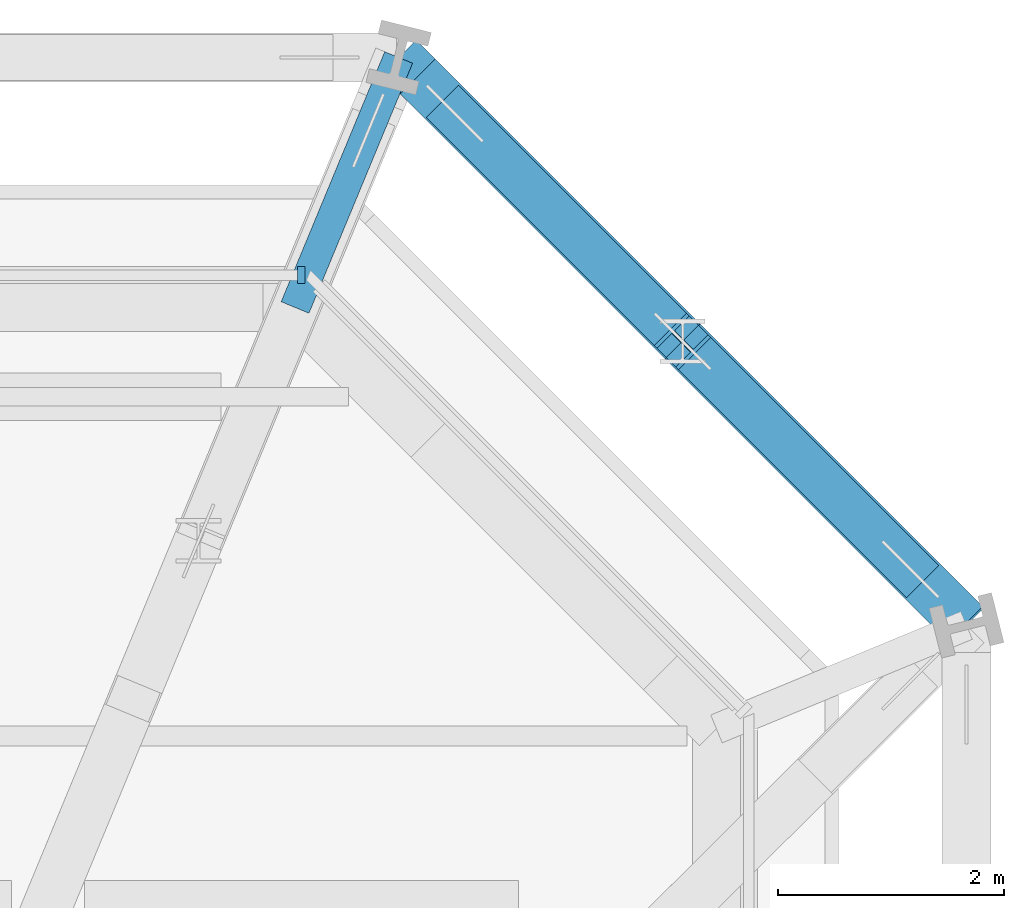
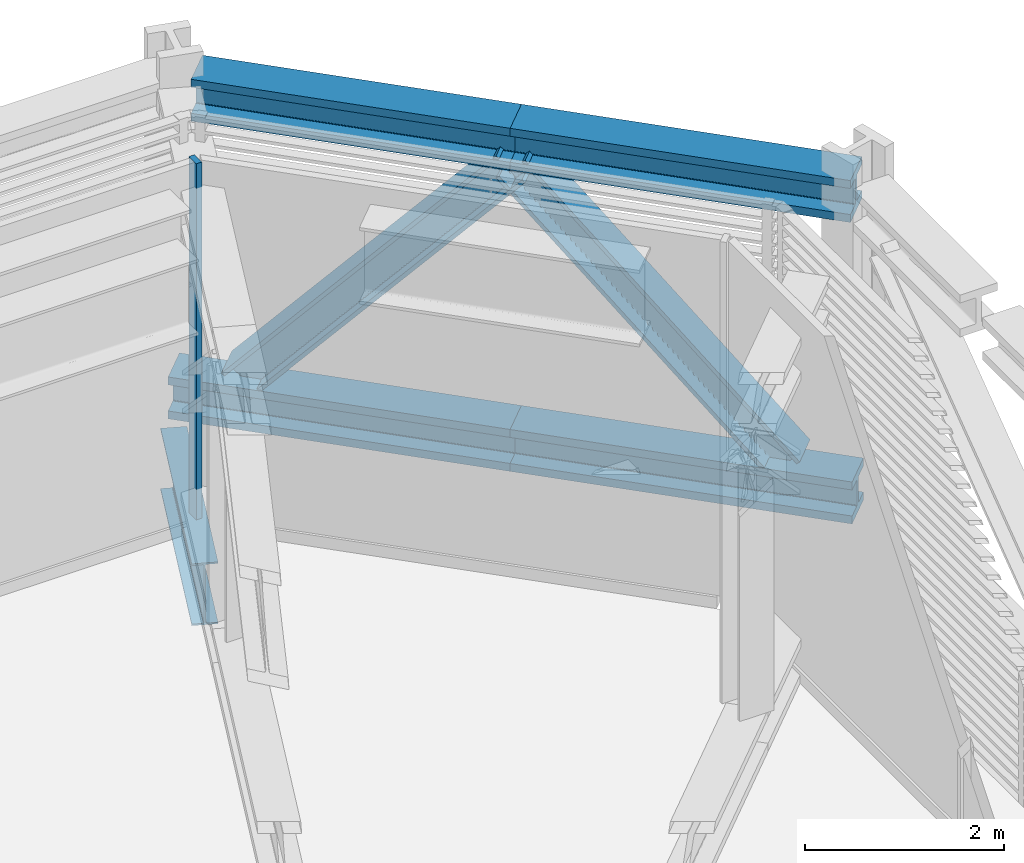
# One storey, part 20 of 33: 5 beams, 3 members, 1 element without a shape of its own.
"""IFC4 building model written with IfcOpenShell, lengths in metres."""

import ifcopenshell
import ifcopenshell.guid

model = None  # the IFC model being written
_history = None  # IfcOwnerHistory: only IFC2X3 demands one
_inside = {}  # id of a spatial element -> (the spatial element, [elements in it])
_under = {}  # id of a project, library or spatial element -> (it, [spatial elements below it])
_declared = {}  # id of a project -> (the project, [libraries it declares])
_typed = {}  # id of a type object -> (the type object, [elements of that type])
_made_of = {}  # id of a material, layer set ... -> (it, [elements and type objects made of it])


def new_model(schema):
    """Start an empty IFC model of exactly this schema.

    Asked for "IFC4X3", IfcOpenShell would pick the latest addendum, in which some entities
    have other attributes; the version numbers below select the first issue.
    IFC2X3 requires an IfcOwnerHistory on every rooted entity: one is made here for all.
    """
    global model, _history
    if schema == "IFC4X3":
        model = ifcopenshell.file(schema_version=(4, 3, 0, 0))
    else:
        model = ifcopenshell.file(schema=schema)
    _inside.clear()
    _under.clear()
    _declared.clear()
    _typed.clear()
    _made_of.clear()
    _history = None
    if model.schema == "IFC2X3":
        org = make("IfcOrganization", Name="unknown")
        user = make(
            "IfcPersonAndOrganization",
            ThePerson=make("IfcPerson", FamilyName="unknown"),
            TheOrganization=org,
        )
        app = make(
            "IfcApplication",
            ApplicationDeveloper=org,
            Version="unknown",
            ApplicationFullName="unknown",
            ApplicationIdentifier="unknown",
        )
        _history = make(
            "IfcOwnerHistory",
            OwningUser=user,
            OwningApplication=app,
            ChangeAction="ADDED",
            CreationDate=0,
        )
    return model


def make(cls, **values):
    """One entity of the class cls with the attributes given. An attribute that is None is left unset."""
    return model.create_entity(
        cls, **{name: value for name, value in values.items() if value is not None}
    )


def rooted(cls, **values):
    """An entity with a GlobalId (a new one), such as an element, a storey or a relation."""
    return make(cls, GlobalId=ifcopenshell.guid.new(), OwnerHistory=_history, **values)


def si_unit(unit_type, name, prefix=None):
    """IfcSIUnit, for example si_unit("LENGTHUNIT", "METRE", prefix="MILLI")."""
    return make("IfcSIUnit", UnitType=unit_type, Prefix=prefix, Name=name)


def assignment(units):
    """IfcUnitAssignment: the units of a project."""
    return None if units is None else make("IfcUnitAssignment", Units=units)


def point(xyz):
    """IfcCartesianPoint."""
    return None if xyz is None else make("IfcCartesianPoint", Coordinates=xyz)


def direction(xyz):
    """IfcDirection."""
    return None if xyz is None else make("IfcDirection", DirectionRatios=xyz)


def frame(location, z_axis=None, x_axis=None):
    """IfcAxis2Placement3D, a coordinate frame: its origin and axes. An axis left out is left unset."""
    return make(
        "IfcAxis2Placement3D",
        Location=point(location),
        Axis=direction(z_axis),
        RefDirection=direction(x_axis),
    )


def frame_2d(location, x_axis=None):
    """IfcAxis2Placement2D, a coordinate frame in the plane: its origin and x axis."""
    return make(
        "IfcAxis2Placement2D", Location=point(location), RefDirection=direction(x_axis)
    )


def origin():
    """The frame at (0, 0, 0) with its axes left unset."""
    return frame((0.0, 0.0, 0.0))


def origin_2d():
    """The frame at (0, 0) in the plane with its x axis left unset."""
    return frame_2d((0.0, 0.0))


def place(relative_to, where):
    """IfcLocalPlacement: puts the frame where relative to a parent placement (None: the world)."""
    return make(
        "IfcLocalPlacement", PlacementRelTo=relative_to, RelativePlacement=where
    )


def context(
    kind, dimensions, precision=None, world=None, true_north=None, identifier=None
):
    """IfcGeometricRepresentationContext, for example the 3D "Model" context."""
    return make(
        "IfcGeometricRepresentationContext",
        ContextIdentifier=identifier,
        ContextType=kind,
        CoordinateSpaceDimension=dimensions,
        Precision=precision,
        WorldCoordinateSystem=world,
        TrueNorth=true_north,
    )


def subcontext(parent, identifier, kind, view, scale=None):
    """IfcGeometricRepresentationSubContext, for example "Body" below "Model"."""
    return make(
        "IfcGeometricRepresentationSubContext",
        ContextIdentifier=identifier,
        ContextType=kind,
        ParentContext=parent,
        TargetScale=scale,
        TargetView=view,
    )


def project(units=None, contexts=None):
    """IfcProject with its units and contexts."""
    return rooted(
        "IfcProject",
        Name="project",
        RepresentationContexts=contexts,
        UnitsInContext=assignment(units),
    )


def spatial(cls, under=None, at=None, **own):
    """A site, building, storey or space (cls), placed at a placement, below another one or the project."""
    s = rooted(cls, ObjectPlacement=at, **own)
    if under is not None:
        _under.setdefault(under.id(), (under, []))[1].append(s)
    return s


def profile(cls, at=None, kind="AREA", **sizes):
    """A parametric profile (cls). Its sizes go by their IFC names, for example OverallWidth=200.0."""
    return make(cls, ProfileType=kind, Position=at, **sizes)


def rectangle(**sizes):
    """IfcRectangleProfileDef."""
    return profile("IfcRectangleProfileDef", **sizes)


def i_section(**sizes):
    """IfcIShapeProfileDef."""
    return profile("IfcIShapeProfileDef", **sizes)


def extrude(swept, where, along, depth):
    """IfcExtrudedAreaSolid: the profile swept, set in the frame where, extruded along a direction by depth."""
    return make(
        "IfcExtrudedAreaSolid",
        SweptArea=swept,
        Position=where,
        ExtrudedDirection=direction(along),
        Depth=depth,
    )


def shape(context_of_items, identifier, shape_type, items):
    """IfcShapeRepresentation: the items that make up one representation, for example the "Body"."""
    return make(
        "IfcShapeRepresentation",
        ContextOfItems=context_of_items,
        RepresentationIdentifier=identifier,
        RepresentationType=shape_type,
        Items=items,
    )


def material(Name=None, Category=None):
    """IfcMaterial."""
    return make("IfcMaterial", Name=Name, Category=Category)


def layer(
    of_material, thickness, ventilated=None, Name=None, Category=None, Priority=None
):
    """IfcMaterialLayer: one layer of a wall or slab, of a material (None: an air gap)."""
    return make(
        "IfcMaterialLayer",
        Material=of_material,
        LayerThickness=thickness,
        IsVentilated=ventilated,
        Name=Name,
        Category=Category,
        Priority=Priority,
    )


def layer_set(layers, Name=None):
    """IfcMaterialLayerSet."""
    return make("IfcMaterialLayerSet", MaterialLayers=layers, LayerSetName=Name)


def material_profile(
    of_material, cross_section, Name=None, Category=None, Priority=None
):
    """IfcMaterialProfile: a cross section and its material."""
    return make(
        "IfcMaterialProfile",
        Name=Name,
        Material=of_material,
        Profile=cross_section,
        Priority=Priority,
        Category=Category,
    )


def profile_set(profiles, Name=None, composite=None):
    """IfcMaterialProfileSet."""
    return make(
        "IfcMaterialProfileSet",
        Name=Name,
        MaterialProfiles=profiles,
        CompositeProfile=composite,
    )


def made_of(thing, what):
    """Note that an element or type object is made of a material, layer set ...; save() writes the relation."""
    if what is not None:
        _made_of.setdefault(what.id(), (what, []))[1].append(thing)
    return thing


def type_object(cls, material=None, **own):
    """A type object (cls), such as IfcWallType, which elements share."""
    return made_of(rooted(cls, **own), material)


def element(
    cls,
    number,
    at=None,
    inside=None,
    cuts=None,
    type_object=None,
    material=None,
    context=None,
    identifier="Body",
    shape_type=None,
    held_by="IfcProductDefinitionShape",
    body=None,
    shapes=None,
    **own,
):
    """One element of the class cls, such as IfcWall. Its Tag is "e" and its number.

    at: its placement. inside: the storey or other place that contains it. cuts: it is an
    opening in that element (IfcRelVoidsElement). A single representation is given by context,
    identifier, shape_type and body (its items); several are given by shapes. held_by: the class
    of the entity that holds the representations. save() writes the other relations.
    """
    e = rooted(cls, Tag="e%d" % number, ObjectPlacement=at, **own)
    if body is not None:
        shapes = [shape(context, identifier, shape_type, body)]
    if shapes is not None:
        e.Representation = make(held_by, Representations=shapes)
    if inside is not None:
        _inside.setdefault(inside.id(), (inside, []))[1].append(e)
    if cuts is not None:
        rooted(
            "IfcRelVoidsElement", RelatingBuildingElement=cuts, RelatedOpeningElement=e
        )
    if type_object is not None:
        _typed.setdefault(type_object.id(), (type_object, []))[1].append(e)
    return made_of(e, material)


def aggregate(whole, parts):
    """IfcRelAggregates: a whole, such as a stair, and the parts it consists of."""
    return rooted("IfcRelAggregates", RelatingObject=whole, RelatedObjects=parts)


def save(model, path):
    """Write the relations noted so far, then the file.

    IfcRelAggregates (storeys below a building ...), IfcRelContainedInSpatialStructure (elements
    in a storey), IfcRelDefinesByType, IfcRelAssociatesMaterial and IfcRelDeclares: one each for
    every whole, place, type object, material and project.
    """
    for whole, parts in _under.values():
        aggregate(whole, parts)
    for where, things in _inside.values():
        rooted(
            "IfcRelContainedInSpatialStructure",
            RelatedElements=things,
            RelatingStructure=where,
        )
    for kind, things in _typed.values():
        rooted("IfcRelDefinesByType", RelatedObjects=things, RelatingType=kind)
    for what, things in _made_of.values():
        rooted("IfcRelAssociatesMaterial", RelatedObjects=things, RelatingMaterial=what)
    for by, libraries in _declared.values():
        rooted("IfcRelDeclares", RelatingContext=by, RelatedDefinitions=libraries)
    model.write(path)


model = new_model("IFC4")

# Units and contexts
model_context = context("Model", 3, precision=1e-05, world=origin(), true_north=direction((0.0, 1.0)))
body_context = subcontext(model_context, "Body", "Model", "MODEL_VIEW")
ifc_project = project(units=[si_unit("LENGTHUNIT", "METRE"), si_unit("AREAUNIT", "SQUARE_METRE"), si_unit("VOLUMEUNIT", "CUBIC_METRE"), si_unit("PLANEANGLEUNIT", "RADIAN"), si_unit("MASSUNIT", "GRAM", prefix="KILO")], contexts=[model_context])

# Site, building, storey
site_placement = place(None, origin())
site = spatial("IfcSite", under=ifc_project, at=site_placement, CompositionType="ELEMENT")
building_placement = place(site_placement, origin())
building = spatial("IfcBuilding", under=site, at=building_placement, Name="Millrace Tower", CompositionType="ELEMENT")
storey_placement = place(building_placement, frame((0.0, 0.0, 64.10009765625)))
storey = spatial("IfcBuildingStorey", under=building, at=storey_placement, Name="L14", CompositionType="ELEMENT", Elevation=64.10009765625)

# Beams
ifc_material_1 = material(Name="Steel ASTM A992 Grade 50", Category="steel")
ifc_material_profile_1 = material_profile(ifc_material_1, i_section(OverallWidth=0.436767578125, OverallDepth=0.51318359375, WebThickness=0.060546875, FlangeThickness=0.096923828125, FilletRadius=0.01513671875, at=origin_2d()))
ifc_profile_set_1 = profile_set([ifc_material_profile_1], Name="Steel ASTM A992 Grade 50")
beam_type_1 = type_object("IfcBeamType", Name="Belt truss chord W14x550", PredefinedType="BEAM", material=ifc_profile_set_1)
for number, where, z_axis, x_axis, name in (
    (1, (27.0, 21.978515625, 0.25634765625), (-0.707106781187, 0.707106781187, 0.0), (-0.707106781187, -0.707106781187, 0.0), "BLT-L14-R09-B01"),
    (2, (24.4892578125, 24.4892578125, 0.25634765625), (-0.707106781187, 0.707106781187, 0.0), (-0.707106781187, -0.707106781187, 0.0), "BLT-L14-R09-B02"),
):
    element("IfcBeam", number, at=place(storey_placement, frame(where, z_axis=z_axis, x_axis=x_axis)), inside=storey, type_object=beam_type_1, Name=name, PredefinedType="BEAM", context=body_context, shape_type="SweptSolid", body=[
        extrude(i_section(OverallWidth=0.436767578125, OverallDepth=0.51318359375, WebThickness=0.060546875, FlangeThickness=0.096923828125, FilletRadius=0.01513671875, at=origin_2d()), origin(), (0.0, 0.0, 1.0), 3.55078125),
    ])
beam_1_placement = place(storey_placement, frame((26.98779296875, 21.99072265625, 3.943359375), z_axis=(-0.707106781187, 0.707106781187, 0.0), x_axis=(-0.707106781187, -0.707106781187, 0.0)))
element("IfcBeam", 3, at=beam_1_placement, inside=storey, type_object=beam_type_1, Name="BLT-L14-R09-T01", PredefinedType="BEAM", context=body_context, shape_type="SweptSolid", body=[
    extrude(i_section(OverallWidth=0.436767578125, OverallDepth=0.51318359375, WebThickness=0.060546875, FlangeThickness=0.096923828125, FilletRadius=0.01513671875, at=origin_2d()), origin(), (0.0, 0.0, 1.0), 3.533447265625),
])
beam_2_placement = place(storey_placement, frame((24.4892578125, 24.4892578125, 3.943359375), z_axis=(-0.707143629816, 0.707069930636, 0.0), x_axis=(-0.707069930636, -0.707143629816, 0.0)))
element("IfcBeam", 4, at=beam_2_placement, inside=storey, type_object=beam_type_1, Name="BLT-L14-R09-T02", PredefinedType="BEAM", context=body_context, shape_type="SweptSolid", body=[
    extrude(i_section(OverallWidth=0.436767578125, OverallDepth=0.51318359375, WebThickness=0.060546875, FlangeThickness=0.096923828125, FilletRadius=0.01513671875, at=origin_2d()), origin(), (0.0, 0.0, 1.0), 3.312744140625),
])

# Members
ifc_material_2 = material(Name="Steel ASTM A992 Grade 50", Category="steel")
ifc_material_profile_2 = material_profile(ifc_material_2, i_section(OverallWidth=0.40380859375, OverallDepth=0.406494140625, WebThickness=0.027099609375, FlangeThickness=0.043701171875, FilletRadius=0.01513671875, at=origin_2d()))
ifc_profile_set_2 = profile_set([ifc_material_profile_2], Name="Steel ASTM A992 Grade 50")
member_type_1 = type_object("IfcMemberType", Name="Belt truss diagonal W14x233", PredefinedType="BRACE", material=ifc_profile_set_2)
for number, where, z_axis, x_axis, name in (
    (5, (26.505126953125, 22.473388671875, 0.512939453125), (-0.472518684194, 0.472518684194, 0.743943671372), (-0.707106781187, -0.707106781187, 0.0), "BLT-L14-R09-D01"),
    (6, (22.473388671875, 26.505126953125, 0.512939453125), (0.472518684194, -0.472518684194, 0.743943671372), (0.707106781187, 0.707106781187, 0.0), "BLT-L14-R09-D02"),
):
    element("IfcMember", number, at=place(storey_placement, frame(where, z_axis=z_axis, x_axis=x_axis)), inside=storey, type_object=member_type_1, Name=name, PredefinedType="BRACE", context=body_context, shape_type="SweptSolid", body=[
        extrude(i_section(OverallWidth=0.40380859375, OverallDepth=0.406494140625, WebThickness=0.027099609375, FlangeThickness=0.043701171875, FilletRadius=0.01513671875, at=origin_2d()), origin(), (0.0, 0.0, 1.0), 4.26611328125),
    ])

# Curtain wall, member
ifc_material_3 = material(Name="Aluminium and glass", Category="aluminium")
ifc_layer = layer(ifc_material_3, 0.14990234375)
ifc_layer_set = layer_set([ifc_layer], Name="Aluminium and glass")
curtain_wall_type = type_object("IfcCurtainWallType", Name="CW-5 truss and plant storey louvred infill", PredefinedType="NOTDEFINED", material=ifc_layer_set)
curtain_wall_placement = place(storey_placement, origin())
curtain_wall = element("IfcCurtainWall", 7, at=curtain_wall_placement, inside=storey, type_object=curtain_wall_type, Name="Curtain wall A-F06 L14", PredefinedType="NOTDEFINED")
ifc_material_4 = material(Name="Aluminium", Category="aluminium")
ifc_material_profile_3 = material_profile(ifc_material_4, rectangle(XDim=0.06494140625, YDim=0.14990234375, at=origin_2d()))
ifc_profile_set_3 = profile_set([ifc_material_profile_3], Name="Aluminium")
member_type_2 = type_object("IfcMemberType", Name="CW-5 truss and plant storey louvred infill mullion", PredefinedType="MULLION", material=ifc_profile_set_3)
member_placement = place(storey_placement, frame((21.117431640625, 25.074951171875, 0.139892578125), z_axis=(0.0, 0.0, 1.0), x_axis=(-1.0, 0.0, 0.0)))
member = element("IfcMember", 8, at=member_placement, type_object=member_type_2, Name="CW5 mullion A-F06.1", PredefinedType="MULLION", context=body_context, shape_type="SweptSolid", body=[
    extrude(rectangle(XDim=0.06494140625, YDim=0.14990234375, at=origin_2d()), origin(), (0.0, 0.0, 1.0), 4.360107421875),
])
aggregate(curtain_wall, [member])

# Beam
ifc_material_5 = material(Name="Steel ASTM A992 Grade 50", Category="steel")
ifc_material_profile_4 = material_profile(ifc_material_5, i_section(OverallWidth=0.2666015625, OverallDepth=0.7568359375, WebThickness=0.013916015625, FlangeThickness=0.019287109375, FilletRadius=0.0166015625, at=origin_2d()))
ifc_profile_set_4 = profile_set([ifc_material_profile_4], Name="Steel ASTM A992 Grade 50")
beam_type_2 = type_object("IfcBeamType", Name="Link beam W30x108", PredefinedType="BEAM", material=ifc_profile_set_4)
beam_3_placement = place(storey_placement, frame((21.062744140625, 24.7890625, -0.628662109375), z_axis=(0.382673155247, 0.923883789366, 0.0), x_axis=(-0.923883789366, 0.382673155247, 0.0)))
element("IfcBeam", 9, at=beam_3_placement, inside=storey, type_object=beam_type_2, Name="LNK-A-L14-S1-08", PredefinedType="BEAM", context=body_context, shape_type="SweptSolid", body=[
    extrude(i_section(OverallWidth=0.2666015625, OverallDepth=0.7568359375, WebThickness=0.013916015625, FlangeThickness=0.019287109375, FilletRadius=0.0166015625, at=origin_2d()), origin(), (0.0, 0.0, 1.0), 2.39306640625),
])

save(model, "model.ifc")
